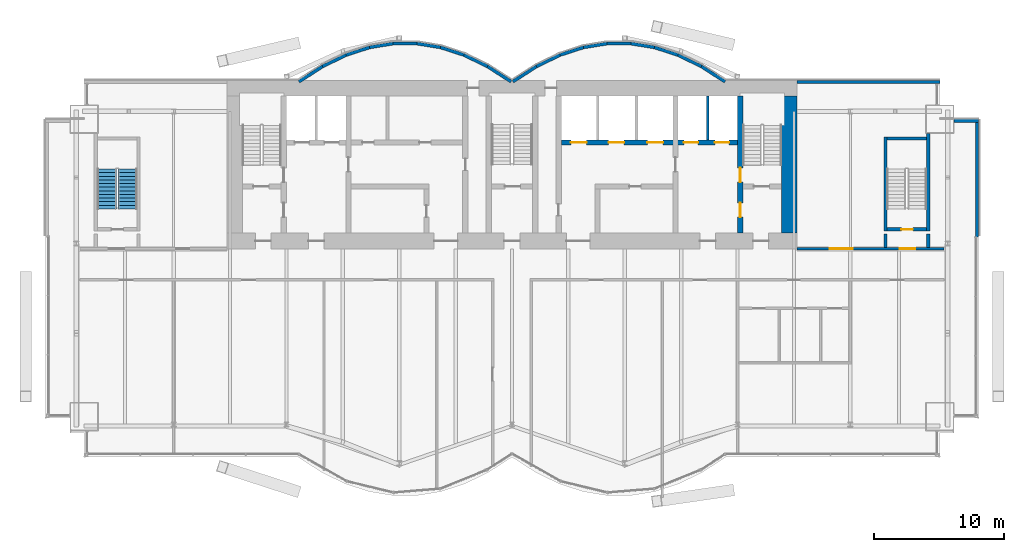
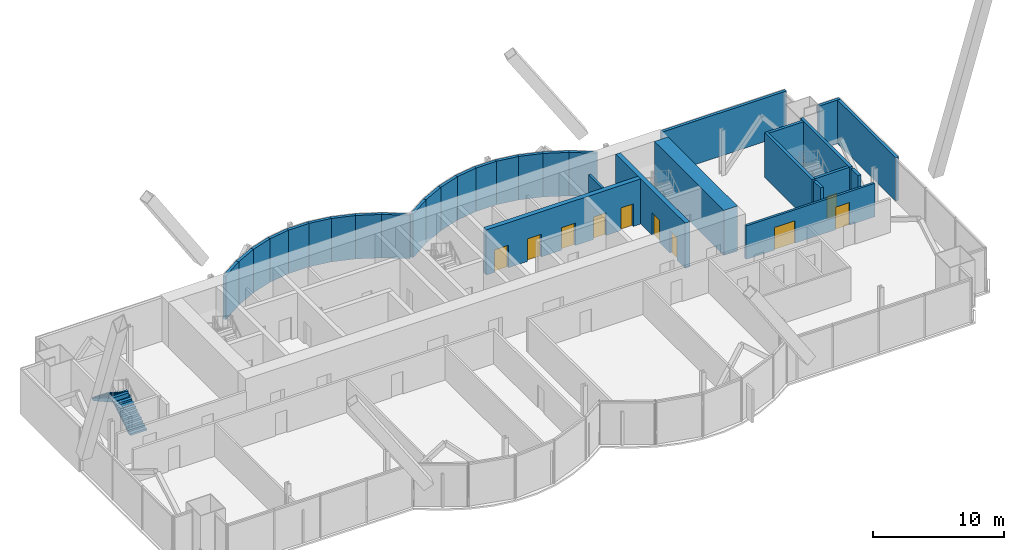
# One storey, part 19 of 23: 32 walls, 10 doors, 2 stair flights, 10 openings, 1 element without a shape of its own.
"""IFC4 building model written with IfcOpenShell, lengths in metres."""

from ifc_helpers import new_model, si_unit, direction, frame, frame_2d, origin, place, context, subcontext, project, spatial, polyline, rectangle, outline, extrude, material, layer, layer_set, layer_usage, type_object, element, fill, aggregate, save


model = new_model("IFC4")

# Units and contexts
model_context = context("Model", 3, precision=1e-05, world=origin(), true_north=direction((0.0, 1.0)))
body_context = subcontext(model_context, "Body", "Model", "MODEL_VIEW")
ifc_project = project(units=[si_unit("LENGTHUNIT", "METRE"), si_unit("AREAUNIT", "SQUARE_METRE"), si_unit("VOLUMEUNIT", "CUBIC_METRE"), si_unit("PLANEANGLEUNIT", "RADIAN"), si_unit("MASSUNIT", "GRAM", prefix="KILO")], contexts=[model_context])

# Site, building, storey
site_placement = place(None, origin())
site = spatial("IfcSite", under=ifc_project, at=site_placement, CompositionType="ELEMENT")
building_placement = place(site_placement, origin())
building = spatial("IfcBuilding", under=site, at=building_placement, Name="Bicima Exchange Tower", CompositionType="ELEMENT")
storey_placement = place(building_placement, frame((0.0, 0.0, 262.39990234375)))
storey = spatial("IfcBuildingStorey", under=building, at=storey_placement, Name="L59", CompositionType="ELEMENT", Elevation=262.39990234375)

# Wall
ifc_material_1 = material(Name="Gypsum board partition")
ifc_layer_1 = layer(ifc_material_1, 0.199951171875)
ifc_layer_set_1 = layer_set([ifc_layer_1], Name="Gypsum board partition")
wall_type_1 = type_object("IfcWallType", Name="Fire-rated gypsum partition 200 EI120", PredefinedType="PARTITIONING", material=ifc_layer_set_1)
wall_1_placement = place(storey_placement, frame((15.10009765625, -4.60009765625, 0.0), z_axis=(0.0, 0.0, 1.0), x_axis=(0.0, 1.0, 0.0)))
element("IfcWall", 1, at=wall_1_placement, inside=storey, type_object=wall_type_1, Name="partition wall 21", PredefinedType="PARTITIONING", context=body_context, shape_type="SweptSolid", body=[
    extrude(rectangle(XDim=3.400146484375, YDim=0.199951171875, at=frame_2d((1.7001953125, 0.0))), origin(), (0.0, 0.0, 1.0), 3.118408203125),
])

# Wall, openings, doors
ifc_layer_2 = layer(ifc_material_1, 0.199951171875)
ifc_layer_set_2 = layer_set([ifc_layer_2], Name="Gypsum board partition")
wall_type_2 = type_object("IfcWallType", Name="Fire-rated gypsum partition 200 EI60", PredefinedType="PARTITIONING", material=ifc_layer_set_2)
wall_2_placement = place(storey_placement, frame((22.0, -13.0, 0.0), z_axis=(0.0, 0.0, 1.0), x_axis=(1.0, 0.0, 0.0)))
wall_2 = element("IfcWall", 2, at=wall_2_placement, inside=storey, type_object=wall_type_2, Name="partition wall 6", PredefinedType="PARTITIONING", context=body_context, shape_type="SweptSolid", body=[
    extrude(rectangle(XDim=11.340087890625, YDim=0.199951171875, at=frame_2d((5.669921875, 0.0))), origin(), (0.0, 0.0, 1.0), 3.118408203125),
])
opening_1_placement = place(wall_2_placement, frame((7.89990234375, 0.0, 0.0)))
opening_1 = element("IfcOpeningElement", 3, at=opening_1_placement, cuts=wall_2, Name="Opening L59-003", PredefinedType="OPENING", context=body_context, shape_type="SweptSolid", body=[
    extrude(rectangle(XDim=1.199951171875, YDim=2.10009765625, at=frame_2d((0.60009765625, 1.050048828125))), frame((0.0, 0.11181640625, 0.0), z_axis=(0.0, -1.0, 0.0), x_axis=(1.0, 0.0, 0.0)), (0.0, 0.0, 1.0), 0.223876953125),
])
opening_2_placement = place(wall_2_placement, frame((2.5, 0.0, 0.0)))
opening_2 = element("IfcOpeningElement", 4, at=opening_2_placement, cuts=wall_2, Name="Opening L59-006", PredefinedType="OPENING", context=body_context, shape_type="SweptSolid", body=[
    extrude(rectangle(XDim=1.800048828125, YDim=2.10009765625, at=frame_2d((0.89990234375, 1.050048828125))), frame((0.0, 0.11181640625, 0.0), z_axis=(0.0, -1.0, 0.0), x_axis=(1.0, 0.0, 0.0)), (0.0, 0.0, 1.0), 0.223876953125),
])
ifc_material_2 = material(Name="Steel fire door leaf", Category="steel")
door_type_1 = type_object("IfcDoorType", Name="Door 1200 swing FD30S", OperationType="SINGLE_SWING_LEFT", PredefinedType="DOOR", material=ifc_material_2)
door_1_placement = place(opening_1_placement, origin())
door_1 = element("IfcDoor", 5, at=door_1_placement, inside=storey, type_object=door_type_1, Name="Door", OperationType="SINGLE_SWING_RIGHT", OverallHeight=2.10009765625, OverallWidth=1.199951171875, PredefinedType="DOOR", context=body_context, shape_type="SweptSolid", body=[
    extrude(rectangle(XDim=1.199951171875, YDim=2.10009765625, at=frame_2d((0.60009765625, 1.050048828125))), frame((0.0, 0.02490234375, 0.0), z_axis=(0.0, -1.0, 0.0), x_axis=(1.0, 0.0, 0.0)), (0.0, 0.0, 1.0), 0.050048828125),
])
fill(opening_1, door_1)
door_type_2 = type_object("IfcDoorType", Name="Door 1800 double swing FD30S", OperationType="DOUBLE_DOOR_SINGLE_SWING", PredefinedType="DOOR", material=ifc_material_2)
door_2_placement = place(opening_2_placement, origin())
door_2 = element("IfcDoor", 6, at=door_2_placement, inside=storey, type_object=door_type_2, Name="Door", OperationType="SINGLE_SWING_LEFT", OverallHeight=2.10009765625, OverallWidth=1.800048828125, PredefinedType="DOOR", context=body_context, shape_type="SweptSolid", body=[
    extrude(rectangle(XDim=1.800048828125, YDim=2.10009765625, at=frame_2d((0.89990234375, 1.050048828125))), frame((0.0, 0.02490234375, 0.0), z_axis=(0.0, -1.0, 0.0), x_axis=(1.0, 0.0, 0.0)), (0.0, 0.0, 1.0), 0.050048828125),
])
fill(opening_2, door_2)

# Walls
ifc_material_3 = material(Name="Concrete C40/50", Category="concrete")
ifc_layer_3 = layer(ifc_material_3, 1.199951171875)
ifc_layer_set_3 = layer_set([ifc_layer_3], Name="Concrete C40/50")
wall_type_3 = type_object("IfcWallType", Name="RC core wall 1200 C40/50", PredefinedType="SHEAR", material=ifc_layer_set_3)
wall_3_placement = place(storey_placement, frame((21.39990234375, -11.800048828125, 0.0), z_axis=(0.0, 0.0, 1.0), x_axis=(0.0, 1.0, 0.0)))
element("IfcWall", 7, at=wall_3_placement, inside=storey, type_object=wall_type_3, Name="Core wall east", PredefinedType="SHEAR", context=body_context, shape_type="SweptSolid", body=[
    extrude(rectangle(XDim=10.60009765625, YDim=1.199951171875, at=frame_2d((5.300048828125, 0.0))), origin(), (0.0, 0.0, 1.0), 4.2001953125),
])
ifc_material_4 = material(Name="Concrete C50/60", Category="concrete")
ifc_layer_4 = layer(ifc_material_4, 0.25)
ifc_layer_set_4 = layer_set([ifc_layer_4], Name="Concrete C50/60")
wall_type_4 = type_object("IfcWallType", Name="RC core wall 250 C50/60", PredefinedType="SHEAR", material=ifc_layer_set_4)
for number, where, z_axis, x_axis, name in (
    (8, (28.800048828125, -12.89990234375, 0.0), (0.0, 0.0, 1.0), (0.0, 1.0, 0.0), "stair wall 26"),
    (9, (32.10009765625, -12.89990234375, 0.0), (0.0, 0.0, 1.0), (0.0, 1.0, 0.0), "stair wall 27"),
):
    element("IfcWall", number, at=place(storey_placement, frame(where, z_axis=z_axis, x_axis=x_axis)), inside=storey, type_object=wall_type_4, Name=name, PredefinedType="SHEAR", context=body_context, shape_type="SweptSolid", body=[
        extrude(rectangle(XDim=1.0498046875, YDim=0.25, at=frame_2d((0.52490234375, 0.0))), origin(), (0.0, 0.0, 1.0), 4.2001953125),
    ])

# Wall, openings, doors
ifc_layer_5 = layer(ifc_material_3, 0.39990234375)
ifc_layer_set_5 = layer_set([ifc_layer_5], Name="Concrete C40/50")
wall_type_5 = type_object("IfcWallType", Name="RC core wall 400 C40/50", PredefinedType="SHEAR", material=ifc_layer_set_5)
wall_4_placement = place(storey_placement, frame((3.800048828125, -4.800048828125, 0.0), z_axis=(0.0, 0.0, 1.0), x_axis=(1.0, 0.0, 0.0)))
wall_4 = element("IfcWall", 10, at=wall_4_placement, inside=storey, type_object=wall_type_5, Name="shear wall 7", PredefinedType="SHEAR", context=body_context, shape_type="SweptSolid", body=[
    extrude(rectangle(XDim=13.599853515625, YDim=0.39990234375, at=frame_2d((6.7998046875, 0.0))), origin(), (0.0, 0.0, 1.0), 4.2001953125),
])
opening_3_placement = place(wall_4_placement, frame((0.75, 0.0, 0.0)))
opening_3 = element("IfcOpeningElement", 11, at=opening_3_placement, cuts=wall_4, Name="Opening LD-HB1-L59", PredefinedType="OPENING", context=body_context, shape_type="SweptSolid", body=[
    extrude(rectangle(XDim=1.199951171875, YDim=2.10009765625, at=frame_2d((0.60009765625, 1.050048828125))), frame((0.0, 0.2119140625, 0.0), z_axis=(0.0, -1.0, 0.0), x_axis=(1.0, 0.0, 0.0)), (0.0, 0.0, 1.0), 0.423828125),
])
opening_4_placement = place(wall_4_placement, frame((3.64990234375, 0.0, 0.0)))
opening_4 = element("IfcOpeningElement", 12, at=opening_4_placement, cuts=wall_4, Name="Opening LD-HB2-L59", PredefinedType="OPENING", context=body_context, shape_type="SweptSolid", body=[
    extrude(rectangle(XDim=1.199951171875, YDim=2.10009765625, at=frame_2d((0.60009765625, 1.050048828125))), frame((0.0, 0.2119140625, 0.0), z_axis=(0.0, -1.0, 0.0), x_axis=(1.0, 0.0, 0.0)), (0.0, 0.0, 1.0), 0.423828125),
])
opening_5_placement = place(wall_4_placement, frame((6.64990234375, 0.0, 0.0)))
opening_5 = element("IfcOpeningElement", 13, at=opening_5_placement, cuts=wall_4, Name="Opening LD-HB3-L59", PredefinedType="OPENING", context=body_context, shape_type="SweptSolid", body=[
    extrude(rectangle(XDim=1.199951171875, YDim=2.10009765625, at=frame_2d((0.60009765625, 1.050048828125))), frame((0.0, 0.2119140625, 0.0), z_axis=(0.0, -1.0, 0.0), x_axis=(1.0, 0.0, 0.0)), (0.0, 0.0, 1.0), 0.423828125),
])
opening_6_placement = place(wall_4_placement, frame((9.449951171875, 0.0, 0.0)))
opening_6 = element("IfcOpeningElement", 14, at=opening_6_placement, cuts=wall_4, Name="Opening LD-FF2-L59", PredefinedType="OPENING", context=body_context, shape_type="SweptSolid", body=[
    extrude(rectangle(XDim=1.10009765625, YDim=2.10009765625, at=frame_2d((0.550048828125, 1.050048828125))), frame((0.0, 0.2119140625, 0.0), z_axis=(0.0, -1.0, 0.0), x_axis=(1.0, 0.0, 0.0)), (0.0, 0.0, 1.0), 0.423828125),
])
opening_7_placement = place(wall_4_placement, frame((11.85009765625, 0.0, 0.0)))
opening_7 = element("IfcOpeningElement", 15, at=opening_7_placement, cuts=wall_4, Name="Opening LD-SV1-L59", PredefinedType="OPENING", context=body_context, shape_type="SweptSolid", body=[
    extrude(rectangle(XDim=1.10009765625, YDim=2.10009765625, at=frame_2d((0.550048828125, 1.050048828125))), frame((0.0, 0.2119140625, 0.0), z_axis=(0.0, -1.0, 0.0), x_axis=(1.0, 0.0, 0.0)), (0.0, 0.0, 1.0), 0.423828125),
])
ifc_material_5 = material(Name="Stainless steel", Category="steel")
door_type_3 = type_object("IfcDoorType", Name="Lift landing door 1100 sliding", OperationType="DOUBLE_DOOR_SLIDING", PredefinedType="DOOR", material=ifc_material_5)
door_3_placement = place(opening_6_placement, origin())
door_3 = element("IfcDoor", 16, at=door_3_placement, inside=storey, type_object=door_type_3, Name="Lift landing door FF2", OperationType="DOUBLE_DOOR_SLIDING", OverallHeight=2.10009765625, OverallWidth=1.10009765625, PredefinedType="DOOR", context=body_context, shape_type="SweptSolid", body=[
    extrude(rectangle(XDim=1.10009765625, YDim=2.10009765625, at=frame_2d((0.550048828125, 1.050048828125))), frame((0.0, 0.02490234375, 0.0), z_axis=(0.0, -1.0, 0.0), x_axis=(1.0, 0.0, 0.0)), (0.0, 0.0, 1.0), 0.050048828125),
])
fill(opening_6, door_3)
door_4_placement = place(opening_7_placement, origin())
door_4 = element("IfcDoor", 17, at=door_4_placement, inside=storey, type_object=door_type_3, Name="Lift landing door SV1", OperationType="DOUBLE_DOOR_SLIDING", OverallHeight=2.10009765625, OverallWidth=1.10009765625, PredefinedType="DOOR", context=body_context, shape_type="SweptSolid", body=[
    extrude(rectangle(XDim=1.10009765625, YDim=2.10009765625, at=frame_2d((0.550048828125, 1.050048828125))), frame((0.0, 0.02490234375, 0.0), z_axis=(0.0, -1.0, 0.0), x_axis=(1.0, 0.0, 0.0)), (0.0, 0.0, 1.0), 0.050048828125),
])
fill(opening_7, door_4)
door_type_4 = type_object("IfcDoorType", Name="Lift landing door 1200 sliding", OperationType="DOUBLE_DOOR_SLIDING", PredefinedType="DOOR", material=ifc_material_5)
door_5_placement = place(opening_3_placement, origin())
door_5 = element("IfcDoor", 18, at=door_5_placement, inside=storey, type_object=door_type_4, Name="Lift landing door HB1", OperationType="DOUBLE_DOOR_SLIDING", OverallHeight=2.10009765625, OverallWidth=1.199951171875, PredefinedType="DOOR", context=body_context, shape_type="SweptSolid", body=[
    extrude(rectangle(XDim=1.199951171875, YDim=2.10009765625, at=frame_2d((0.60009765625, 1.050048828125))), frame((0.0, 0.02490234375, 0.0), z_axis=(0.0, -1.0, 0.0), x_axis=(1.0, 0.0, 0.0)), (0.0, 0.0, 1.0), 0.050048828125),
])
fill(opening_3, door_5)
door_6_placement = place(opening_4_placement, origin())
door_6 = element("IfcDoor", 19, at=door_6_placement, inside=storey, type_object=door_type_4, Name="Lift landing door HB2", OperationType="DOUBLE_DOOR_SLIDING", OverallHeight=2.10009765625, OverallWidth=1.199951171875, PredefinedType="DOOR", context=body_context, shape_type="SweptSolid", body=[
    extrude(rectangle(XDim=1.199951171875, YDim=2.10009765625, at=frame_2d((0.60009765625, 1.050048828125))), frame((0.0, 0.02490234375, 0.0), z_axis=(0.0, -1.0, 0.0), x_axis=(1.0, 0.0, 0.0)), (0.0, 0.0, 1.0), 0.050048828125),
])
fill(opening_4, door_6)
door_7_placement = place(opening_5_placement, origin())
door_7 = element("IfcDoor", 20, at=door_7_placement, inside=storey, type_object=door_type_4, Name="Lift landing door HB3", OperationType="DOUBLE_DOOR_SLIDING", OverallHeight=2.10009765625, OverallWidth=1.199951171875, PredefinedType="DOOR", context=body_context, shape_type="SweptSolid", body=[
    extrude(rectangle(XDim=1.199951171875, YDim=2.10009765625, at=frame_2d((0.60009765625, 1.050048828125))), frame((0.0, 0.02490234375, 0.0), z_axis=(0.0, -1.0, 0.0), x_axis=(1.0, 0.0, 0.0)), (0.0, 0.0, 1.0), 0.050048828125),
])
fill(opening_5, door_7)

ifc_layer_6 = layer(ifc_material_4, 0.39990234375)
ifc_layer_set_6 = layer_set([ifc_layer_6], Name="Concrete C50/60")
wall_type_6 = type_object("IfcWallType", Name="RC core wall 400 C50/60", PredefinedType="SHEAR", material=ifc_layer_set_6)
wall_5_placement = place(storey_placement, frame((17.60009765625, -11.800048828125, 0.0), z_axis=(0.0, 0.0, 1.0), x_axis=(0.0, 1.0, 0.0)))
wall_5 = element("IfcWall", 21, at=wall_5_placement, inside=storey, type_object=wall_type_6, Name="stair wall 22", PredefinedType="SHEAR", context=body_context, shape_type="SweptSolid", body=[
    extrude(rectangle(XDim=10.60009765625, YDim=0.39990234375, at=frame_2d((5.300048828125, 0.0))), origin(), (0.0, 0.0, 1.0), 4.2001953125),
])
opening_8_placement = place(wall_5_placement, frame((1.25, 0.0, 0.0)))
opening_8 = element("IfcOpeningElement", 22, at=opening_8_placement, cuts=wall_5, Name="Opening L59-C05", PredefinedType="OPENING", context=body_context, shape_type="SweptSolid", body=[
    extrude(rectangle(XDim=1.10009765625, YDim=2.10009765625, at=frame_2d((0.550048828125, 1.050048828125))), frame((0.0, 0.2119140625, 0.0), z_axis=(0.0, -1.0, 0.0), x_axis=(1.0, 0.0, 0.0)), (0.0, 0.0, 1.0), 0.423828125),
])
opening_9_placement = place(wall_5_placement, frame((3.949951171875, 0.0, 0.0)))
opening_9 = element("IfcOpeningElement", 23, at=opening_9_placement, cuts=wall_5, Name="Opening L59-C08", PredefinedType="OPENING", context=body_context, shape_type="SweptSolid", body=[
    extrude(rectangle(XDim=1.10009765625, YDim=2.10009765625, at=frame_2d((0.550048828125, 1.050048828125))), frame((0.0, 0.2119140625, 0.0), z_axis=(0.0, -1.0, 0.0), x_axis=(1.0, 0.0, 0.0)), (0.0, 0.0, 1.0), 0.423828125),
])
door_type_5 = type_object("IfcDoorType", Name="Door 1100 swing FD60S", OperationType="SINGLE_SWING_LEFT", PredefinedType="DOOR", material=ifc_material_2)
door_8_placement = place(opening_8_placement, origin())
door_8 = element("IfcDoor", 24, at=door_8_placement, inside=storey, type_object=door_type_5, Name="Core door", OperationType="SINGLE_SWING_LEFT", OverallHeight=2.10009765625, OverallWidth=1.10009765625, PredefinedType="DOOR", context=body_context, shape_type="SweptSolid", body=[
    extrude(rectangle(XDim=1.10009765625, YDim=2.10009765625, at=frame_2d((0.550048828125, 1.050048828125))), frame((0.0, 0.02490234375, 0.0), z_axis=(0.0, -1.0, 0.0), x_axis=(1.0, 0.0, 0.0)), (0.0, 0.0, 1.0), 0.050048828125),
])
fill(opening_8, door_8)
door_9_placement = place(opening_9_placement, origin())
door_9 = element("IfcDoor", 25, at=door_9_placement, inside=storey, type_object=door_type_5, Name="Core door", OperationType="SINGLE_SWING_RIGHT", OverallHeight=2.10009765625, OverallWidth=1.10009765625, PredefinedType="DOOR", context=body_context, shape_type="SweptSolid", body=[
    extrude(rectangle(XDim=1.10009765625, YDim=2.10009765625, at=frame_2d((0.550048828125, 1.050048828125))), frame((0.0, 0.02490234375, 0.0), z_axis=(0.0, -1.0, 0.0), x_axis=(1.0, 0.0, 0.0)), (0.0, 0.0, 1.0), 0.050048828125),
])
fill(opening_9, door_9)

# Walls
ifc_layer_7 = layer(ifc_material_4, 0.25)
ifc_layer_set_7 = layer_set([ifc_layer_7], Name="Concrete C50/60")
wall_type_7 = type_object("IfcWallType", Name="RC stair enclosure wall 250 C50/60", PredefinedType="SHEAR", material=ifc_layer_set_7)
wall_6_placement = place(storey_placement, frame((28.800048828125, -11.625, 0.0), z_axis=(0.0, 0.0, 1.0), x_axis=(0.0, 1.0, 0.0)))
element("IfcWall", 26, at=wall_6_placement, inside=storey, type_object=wall_type_7, Name="East end exit stair wall W", PredefinedType="SHEAR", context=body_context, shape_type="SweptSolid", body=[
    extrude(rectangle(XDim=7.25, YDim=0.25, at=frame_2d((3.625, 0.0))), origin(), (0.0, 0.0, 1.0), 4.2001953125),
])
wall_7_placement = place(storey_placement, frame((32.10009765625, -11.625, 0.0), z_axis=(0.0, 0.0, 1.0), x_axis=(0.0, 1.0, 0.0)))
element("IfcWall", 27, at=wall_7_placement, inside=storey, type_object=wall_type_7, Name="East end exit stair wall E", PredefinedType="SHEAR", context=body_context, shape_type="SweptSolid", body=[
    extrude(rectangle(XDim=7.52490234375, YDim=0.25, at=frame_2d((3.762451171875, 0.0))), origin(), (0.0, 0.0, 1.0), 4.2001953125),
])

# Wall, opening, door
wall_8_placement = place(storey_placement, frame((28.925048828125, -11.5, 0.0), z_axis=(0.0, 0.0, 1.0), x_axis=(1.0, 0.0, 0.0)))
wall_8 = element("IfcWall", 28, at=wall_8_placement, inside=storey, type_object=wall_type_7, Name="East end exit stair wall S", PredefinedType="SHEAR", context=body_context, shape_type="SweptSolid", body=[
    extrude(rectangle(XDim=3.050048828125, YDim=0.25, at=frame_2d((1.52490234375, 0.0))), origin(), (0.0, 0.0, 1.0), 4.2001953125),
])
opening_10_placement = place(wall_8_placement, frame((1.10009765625, 0.0, 0.0)))
opening_10 = element("IfcOpeningElement", 29, at=opening_10_placement, cuts=wall_8, Name="Opening L59-004", PredefinedType="OPENING", context=body_context, shape_type="SweptSolid", body=[
    extrude(rectangle(XDim=0.89990234375, YDim=2.10009765625, at=frame_2d((0.449951171875, 1.050048828125))), frame((0.0, 0.136962890625, 0.0), z_axis=(0.0, -1.0, 0.0), x_axis=(1.0, 0.0, 0.0)), (0.0, 0.0, 1.0), 0.27392578125),
])
door_type_6 = type_object("IfcDoorType", Name="Door 900 swing FD60S", OperationType="SINGLE_SWING_LEFT", PredefinedType="DOOR", material=ifc_material_2)
door_10_placement = place(opening_10_placement, origin())
door_10 = element("IfcDoor", 30, at=door_10_placement, inside=storey, type_object=door_type_6, Name="Door", OperationType="SINGLE_SWING_LEFT", OverallHeight=2.10009765625, OverallWidth=0.89990234375, PredefinedType="DOOR", context=body_context, shape_type="SweptSolid", body=[
    extrude(rectangle(XDim=0.89990234375, YDim=2.10009765625, at=frame_2d((0.449951171875, 1.050048828125))), frame((0.0, 0.02490234375, 0.0), z_axis=(0.0, -1.0, 0.0), x_axis=(1.0, 0.0, 0.0)), (0.0, 0.0, 1.0), 0.050048828125),
])
fill(opening_10, door_10)

# Walls
wall_9_placement = place(storey_placement, frame((28.925048828125, -4.5, 0.0), z_axis=(0.0, 0.0, 1.0), x_axis=(1.0, 0.0, 0.0)))
element("IfcWall", 31, at=wall_9_placement, inside=storey, type_object=wall_type_7, Name="East end exit stair wall N", PredefinedType="SHEAR", context=body_context, shape_type="SweptSolid", body=[
    extrude(rectangle(XDim=3.050048828125, YDim=0.25, at=frame_2d((1.52490234375, 0.0))), origin(), (0.0, 0.0, 1.0), 4.2001953125),
])
ifc_layer_8 = layer(ifc_material_3, 0.25)
ifc_layer_set_8 = layer_set([ifc_layer_8], Name="Concrete C40/50")
ifc_layer_usage = layer_usage(ifc_layer_set_8, "AXIS2", "POSITIVE", -0.125)
wall_type_8 = type_object("IfcWallType", Name="Rear backup wall 250", PredefinedType="STANDARD", material=ifc_layer_set_8)
wall_10_placement = place(storey_placement, frame((33.0, -0.125, 0.0), z_axis=(0.0, 0.0, 1.0), x_axis=(-1.0, 0.0, 0.0)))
element("IfcWall", 32, at=wall_10_placement, inside=storey, type_object=wall_type_8, material=ifc_layer_usage, Name="Rear backup wall L59 1", PredefinedType="STANDARD", context=body_context, shape_type="SweptSolid", body=[
    extrude(rectangle(XDim=11.0, YDim=0.25, at=frame_2d((5.5, 0.0))), origin(), (0.0, 0.0, 1.0), 4.050048828125),
])
wall_11_placement = place(storey_placement, frame((16.43212890625, -0.10498046875, 0.0), z_axis=(0.0, 0.0, 1.0), x_axis=(-0.83981312244, 0.542875602121, 0.0)))
element("IfcWall", 33, at=wall_11_placement, inside=storey, type_object=wall_type_8, material=ifc_layer_usage, Name="Rear backup wall L59 2", PredefinedType="STANDARD", context=body_context, shape_type="SweptSolid", body=[
    extrude(rectangle(XDim=2.182861328125, YDim=0.25, at=frame_2d((1.09130859375, 0.0))), origin(), (0.0, 0.0, 1.0), 4.050048828125),
])
wall_12_placement = place(storey_placement, frame((14.6123046875, 1.07275390625, 0.0), z_axis=(0.0, 0.0, 1.0), x_axis=(-0.89982408427, 0.436252928206, 0.0)))
element("IfcWall", 34, at=wall_12_placement, inside=storey, type_object=wall_type_8, material=ifc_layer_usage, Name="Rear backup wall L59 3", PredefinedType="STANDARD", context=body_context, shape_type="SweptSolid", body=[
    extrude(rectangle(XDim=2.03759765625, YDim=0.25, at=frame_2d((1.018798828125, 0.0))), origin(), (0.0, 0.0, 1.0), 4.050048828125),
])
wall_13_placement = place(storey_placement, frame((12.794921875, 1.955078125, 0.0), z_axis=(0.0, 0.0, 1.0), x_axis=(-0.951495806175, 0.307661714928, 0.0)))
element("IfcWall", 35, at=wall_13_placement, inside=storey, type_object=wall_type_8, material=ifc_layer_usage, Name="Rear backup wall L59 4", PredefinedType="STANDARD", context=body_context, shape_type="SweptSolid", body=[
    extrude(rectangle(XDim=1.9267578125, YDim=0.25, at=frame_2d((0.96337890625, 0.0))), origin(), (0.0, 0.0, 1.0), 4.050048828125),
])
wall_14_placement = place(storey_placement, frame((10.97998046875, 2.543212890625, 0.0), z_axis=(0.0, 0.0, 1.0), x_axis=(-0.987181718931, 0.159600293885, 0.0)))
element("IfcWall", 36, at=wall_14_placement, inside=storey, type_object=wall_type_8, material=ifc_layer_usage, Name="Rear backup wall L59 5", PredefinedType="STANDARD", context=body_context, shape_type="SweptSolid", body=[
    extrude(rectangle(XDim=1.857177734375, YDim=0.25, at=frame_2d((0.9287109375, 0.0))), origin(), (0.0, 0.0, 1.0), 4.050048828125),
])
wall_15_placement = place(storey_placement, frame((9.166748046875, 2.837890625, 0.0), z_axis=(0.0, 0.0, 1.0), x_axis=(-1.0, 0.0, 0.0)))
element("IfcWall", 37, at=wall_15_placement, inside=storey, type_object=wall_type_8, material=ifc_layer_usage, Name="Rear backup wall L59 6", PredefinedType="STANDARD", context=body_context, shape_type="SweptSolid", body=[
    extrude(rectangle(XDim=1.83349609375, YDim=0.25, at=frame_2d((0.916748046875, 0.0))), origin(), (0.0, 0.0, 1.0), 4.050048828125),
])
wall_16_placement = place(storey_placement, frame((7.353271484375, 2.839599609375, 0.0), z_axis=(0.0, 0.0, 1.0), x_axis=(-0.987181718931, -0.159600293885, 0.0)))
element("IfcWall", 38, at=wall_16_placement, inside=storey, type_object=wall_type_8, material=ifc_layer_usage, Name="Rear backup wall L59 7", PredefinedType="STANDARD", context=body_context, shape_type="SweptSolid", body=[
    extrude(rectangle(XDim=1.857177734375, YDim=0.25, at=frame_2d((0.9287109375, 0.0))), origin(), (0.0, 0.0, 1.0), 4.050048828125),
])
wall_17_placement = place(storey_placement, frame((5.538330078125, 2.5478515625, 0.0), z_axis=(0.0, 0.0, 1.0), x_axis=(-0.951495806175, -0.307661714928, 0.0)))
element("IfcWall", 39, at=wall_17_placement, inside=storey, type_object=wall_type_8, material=ifc_layer_usage, Name="Rear backup wall L59 8", PredefinedType="STANDARD", context=body_context, shape_type="SweptSolid", body=[
    extrude(rectangle(XDim=1.9267578125, YDim=0.25, at=frame_2d((0.96337890625, 0.0))), origin(), (0.0, 0.0, 1.0), 4.050048828125),
])
wall_18_placement = place(storey_placement, frame((3.72119140625, 1.961669921875, 0.0), z_axis=(0.0, 0.0, 1.0), x_axis=(-0.89982408427, -0.436252928206, 0.0)))
element("IfcWall", 40, at=wall_18_placement, inside=storey, type_object=wall_type_8, material=ifc_layer_usage, Name="Rear backup wall L59 9", PredefinedType="STANDARD", context=body_context, shape_type="SweptSolid", body=[
    extrude(rectangle(XDim=2.03759765625, YDim=0.25, at=frame_2d((1.018798828125, 0.0))), origin(), (0.0, 0.0, 1.0), 4.050048828125),
])
for number, where, z_axis, x_axis, name in (
    (41, (1.901123046875, 1.080078125, 0.0), (0.0, 0.0, 1.0), (-0.83981312244, -0.542875602121, 0.0), "Rear backup wall L59 10"),
    (42, (-0.06787109375, -0.10498046875, 0.0), (0.0, 0.0, 1.0), (-0.83981312244, 0.542875602121, 0.0), "Rear backup wall L59 11"),
):
    element("IfcWall", number, at=place(storey_placement, frame(where, z_axis=z_axis, x_axis=x_axis)), inside=storey, type_object=wall_type_8, material=ifc_layer_usage, Name=name, PredefinedType="STANDARD", context=body_context, shape_type="SweptSolid", body=[
        extrude(rectangle(XDim=2.182861328125, YDim=0.25, at=frame_2d((1.09130859375, 0.0))), origin(), (0.0, 0.0, 1.0), 4.050048828125),
    ])
wall_19_placement = place(storey_placement, frame((-1.8876953125, 1.07275390625, 0.0), z_axis=(0.0, 0.0, 1.0), x_axis=(-0.89982408427, 0.436252928206, 0.0)))
element("IfcWall", 43, at=wall_19_placement, inside=storey, type_object=wall_type_8, material=ifc_layer_usage, Name="Rear backup wall L59 12", PredefinedType="STANDARD", context=body_context, shape_type="SweptSolid", body=[
    extrude(rectangle(XDim=2.03759765625, YDim=0.25, at=frame_2d((1.018798828125, 0.0))), origin(), (0.0, 0.0, 1.0), 4.050048828125),
])
wall_20_placement = place(storey_placement, frame((-3.705078125, 1.955078125, 0.0), z_axis=(0.0, 0.0, 1.0), x_axis=(-0.951495806175, 0.307661714928, 0.0)))
element("IfcWall", 44, at=wall_20_placement, inside=storey, type_object=wall_type_8, material=ifc_layer_usage, Name="Rear backup wall L59 13", PredefinedType="STANDARD", context=body_context, shape_type="SweptSolid", body=[
    extrude(rectangle(XDim=1.9267578125, YDim=0.25, at=frame_2d((0.96337890625, 0.0))), origin(), (0.0, 0.0, 1.0), 4.050048828125),
])
wall_21_placement = place(storey_placement, frame((-5.52001953125, 2.543212890625, 0.0), z_axis=(0.0, 0.0, 1.0), x_axis=(-0.987181718931, 0.159600293885, 0.0)))
element("IfcWall", 45, at=wall_21_placement, inside=storey, type_object=wall_type_8, material=ifc_layer_usage, Name="Rear backup wall L59 14", PredefinedType="STANDARD", context=body_context, shape_type="SweptSolid", body=[
    extrude(rectangle(XDim=1.857177734375, YDim=0.25, at=frame_2d((0.9287109375, 0.0))), origin(), (0.0, 0.0, 1.0), 4.050048828125),
])
wall_22_placement = place(storey_placement, frame((-7.333251953125, 2.837890625, 0.0), z_axis=(0.0, 0.0, 1.0), x_axis=(-1.0, 0.0, 0.0)))
element("IfcWall", 46, at=wall_22_placement, inside=storey, type_object=wall_type_8, material=ifc_layer_usage, Name="Rear backup wall L59 15", PredefinedType="STANDARD", context=body_context, shape_type="SweptSolid", body=[
    extrude(rectangle(XDim=1.83349609375, YDim=0.25, at=frame_2d((0.916748046875, 0.0))), origin(), (0.0, 0.0, 1.0), 4.050048828125),
])
wall_23_placement = place(storey_placement, frame((-9.146728515625, 2.839599609375, 0.0), z_axis=(0.0, 0.0, 1.0), x_axis=(-0.987181718931, -0.159600293885, 0.0)))
element("IfcWall", 47, at=wall_23_placement, inside=storey, type_object=wall_type_8, material=ifc_layer_usage, Name="Rear backup wall L59 16", PredefinedType="STANDARD", context=body_context, shape_type="SweptSolid", body=[
    extrude(rectangle(XDim=1.857177734375, YDim=0.25, at=frame_2d((0.9287109375, 0.0))), origin(), (0.0, 0.0, 1.0), 4.050048828125),
])
wall_24_placement = place(storey_placement, frame((-10.961669921875, 2.5478515625, 0.0), z_axis=(0.0, 0.0, 1.0), x_axis=(-0.951495806175, -0.307661714928, 0.0)))
element("IfcWall", 48, at=wall_24_placement, inside=storey, type_object=wall_type_8, material=ifc_layer_usage, Name="Rear backup wall L59 17", PredefinedType="STANDARD", context=body_context, shape_type="SweptSolid", body=[
    extrude(rectangle(XDim=1.9267578125, YDim=0.25, at=frame_2d((0.96337890625, 0.0))), origin(), (0.0, 0.0, 1.0), 4.050048828125),
])
wall_25_placement = place(storey_placement, frame((-12.77880859375, 1.961669921875, 0.0), z_axis=(0.0, 0.0, 1.0), x_axis=(-0.89982408427, -0.436252928206, 0.0)))
element("IfcWall", 49, at=wall_25_placement, inside=storey, type_object=wall_type_8, material=ifc_layer_usage, Name="Rear backup wall L59 18", PredefinedType="STANDARD", context=body_context, shape_type="SweptSolid", body=[
    extrude(rectangle(XDim=2.03759765625, YDim=0.25, at=frame_2d((1.018798828125, 0.0))), origin(), (0.0, 0.0, 1.0), 4.050048828125),
])
wall_26_placement = place(storey_placement, frame((-14.598876953125, 1.080078125, 0.0), z_axis=(0.0, 0.0, 1.0), x_axis=(-0.83981312244, -0.542875602121, 0.0)))
element("IfcWall", 50, at=wall_26_placement, inside=storey, type_object=wall_type_8, material=ifc_layer_usage, Name="Rear backup wall L59 19", PredefinedType="STANDARD", context=body_context, shape_type="SweptSolid", body=[
    extrude(rectangle(XDim=2.182861328125, YDim=0.25, at=frame_2d((1.09130859375, 0.0))), origin(), (0.0, 0.0, 1.0), 4.050048828125),
])
wall_27_placement = place(storey_placement, frame((35.875, -12.090087890625, 0.0), z_axis=(0.0, 0.0, 1.0), x_axis=(0.0, 1.0, 0.0)))
element("IfcWall", 51, at=wall_27_placement, inside=storey, type_object=wall_type_8, material=ifc_layer_usage, Name="Rear backup wall L59 50", PredefinedType="STANDARD", context=body_context, shape_type="SweptSolid", body=[
    extrude(rectangle(XDim=9.090087890625, YDim=0.25, at=frame_2d((4.544921875, 0.0))), origin(), (0.0, 0.0, 1.0), 4.050048828125),
])
wall_28_placement = place(storey_placement, frame((36.0, -3.125, 0.0), z_axis=(0.0, 0.0, 1.0), x_axis=(-1.0, 0.0, 0.0)))
element("IfcWall", 52, at=wall_28_placement, inside=storey, type_object=wall_type_8, material=ifc_layer_usage, Name="Rear backup wall L59 51", PredefinedType="STANDARD", context=body_context, shape_type="SweptSolid", body=[
    extrude(rectangle(XDim=1.89990234375, YDim=0.25, at=frame_2d((0.949951171875, 0.0))), origin(), (0.0, 0.0, 1.0), 4.050048828125),
])

# Stair, stair flights
stair_type = type_object("IfcStairType", Name="Exit stair", PredefinedType="HALF_TURN_STAIR", material=ifc_material_4)
stair_placement = place(storey_placement, origin())
stair = element("IfcStair", 53, at=stair_placement, inside=storey, type_object=stair_type, Name="L59 West end exit stair", PredefinedType="HALF_TURN_STAIR")
stair_flight_type = type_object("IfcStairFlightType", Name="Stair flight RC", PredefinedType="STRAIGHT", material=ifc_material_4)
stair_flight_1_placement = place(storey_placement, frame((-29.64990234375, -9.925048828125, 0.0), z_axis=(0.0, 0.0, 1.0), x_axis=(0.0, 1.0, 0.0)))
stair_flight_1 = element("IfcStairFlight", 54, at=stair_flight_1_placement, type_object=stair_flight_type, Name="ST-WW flight 1", NumberOfRisers=12, NumberOfTreads=11, PredefinedType="STRAIGHT", RiserHeight=0.175, TreadLength=0.28, context=body_context, shape_type="SweptSolid", body=[
    extrude(outline(polyline([(0.0, 0.0), (0.0, 0.175048828125), (0.280029296875, 0.175048828125), (0.280029296875, 0.35009765625), (0.56005859375, 0.35009765625), (0.56005859375, 0.52490234375), (0.840087890625, 0.52490234375), (0.840087890625, 0.699951171875), (1.1201171875, 0.699951171875), (1.1201171875, 0.875), (1.39990234375, 0.875), (1.39990234375, 1.050048828125), (1.679931640625, 1.050048828125), (1.679931640625, 1.22509765625), (1.9599609375, 1.22509765625), (1.9599609375, 1.39990234375), (2.239990234375, 1.39990234375), (2.239990234375, 1.574951171875), (2.52001953125, 1.574951171875), (2.52001953125, 1.75), (2.800048828125, 1.75), (2.800048828125, 1.925048828125), (3.080078125, 1.925048828125), (3.080078125, 2.10009765625), (3.080078125, 1.748291015625), (0.28271484375, 0.0), (0.0, 0.0)])), frame((0.0, 0.72509765625, 0.0), z_axis=(0.0, -1.0, 0.0), x_axis=(1.0, 0.0, 0.0)), (0.0, 0.0, 1.0), 1.449951171875),
])
stair_flight_2_placement = place(storey_placement, frame((-31.25, -6.844970703125, 2.10009765625), z_axis=(0.0, 0.0, 1.0), x_axis=(0.0, -1.0, 0.0)))
stair_flight_2 = element("IfcStairFlight", 55, at=stair_flight_2_placement, type_object=stair_flight_type, Name="ST-WW flight 2", NumberOfRisers=12, NumberOfTreads=11, PredefinedType="STRAIGHT", RiserHeight=0.175, TreadLength=0.28, context=body_context, shape_type="SweptSolid", body=[
    extrude(outline(polyline([(0.0, 0.0), (0.0, 0.175048828125), (0.280029296875, 0.175048828125), (0.280029296875, 0.35009765625), (0.56005859375, 0.35009765625), (0.56005859375, 0.52490234375), (0.840087890625, 0.52490234375), (0.840087890625, 0.699951171875), (1.1201171875, 0.699951171875), (1.1201171875, 0.875), (1.39990234375, 0.875), (1.39990234375, 1.050048828125), (1.679931640625, 1.050048828125), (1.679931640625, 1.22509765625), (1.9599609375, 1.22509765625), (1.9599609375, 1.39990234375), (2.239990234375, 1.39990234375), (2.239990234375, 1.574951171875), (2.52001953125, 1.574951171875), (2.52001953125, 1.75), (2.800048828125, 1.75), (2.800048828125, 1.925048828125), (3.080078125, 1.925048828125), (3.080078125, 1.9541015625), (3.094970703125, 1.9541015625), (3.094970703125, 1.58251953125), (0.28271484375, 0.0), (0.0, 0.0)])), frame((0.0, 0.72509765625, 0.0), z_axis=(0.0, -1.0, 0.0), x_axis=(1.0, 0.0, 0.0)), (0.0, 0.0, 1.0), 1.449951171875),
])
aggregate(stair, [stair_flight_1, stair_flight_2])

save(model, "model.ifc")
